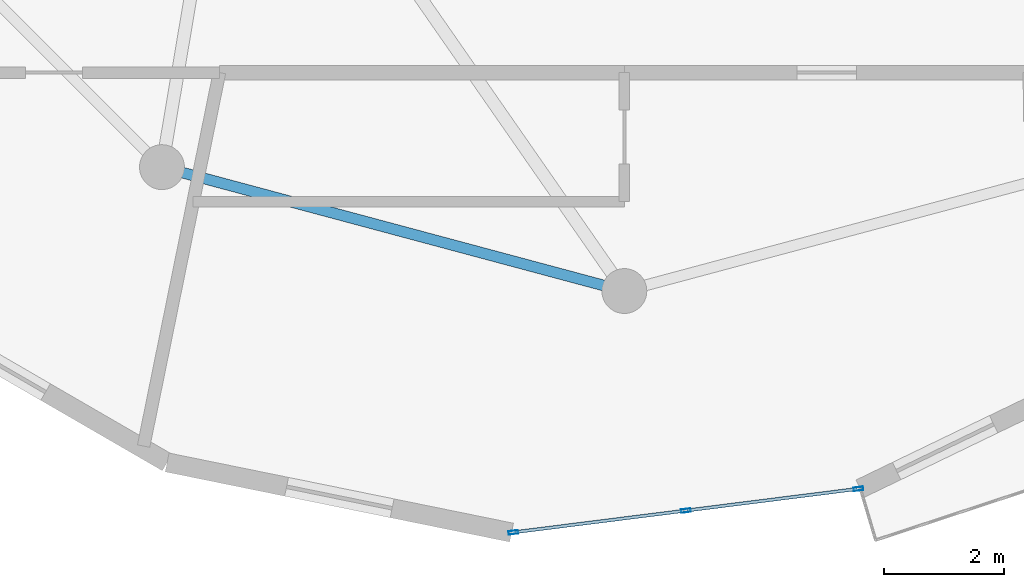
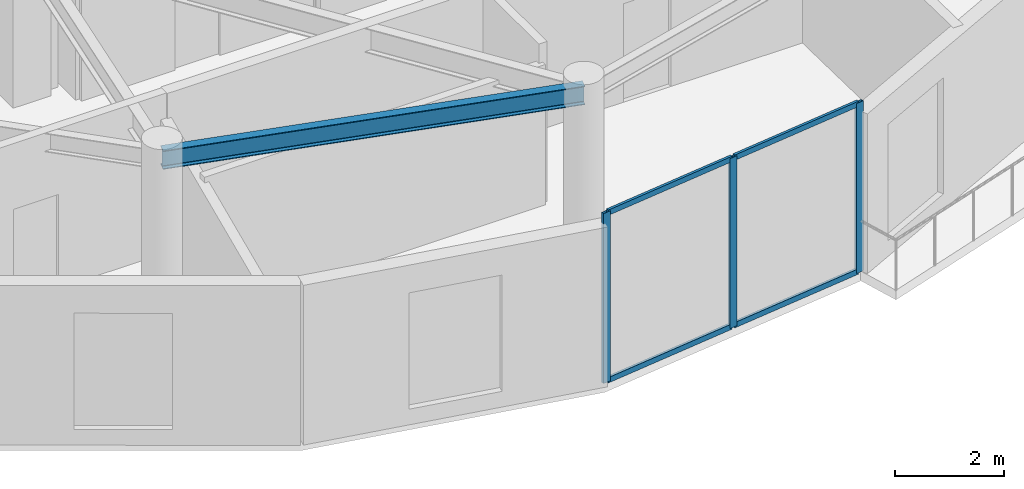
# One storey, part 4 of 23: 7 members, 1 beam, 1 element without a shape of its own.
"""IFC4 building model written with IfcOpenShell, lengths in metres."""

from ifc_helpers import new_model, si_unit, direction, frame, origin, origin_2d, place, context, subcontext, project, spatial, hollow_rectangle, i_section, extrude, source, transform, mapped, material, layer, layer_set, material_profile, profile_set, type_object, element, aggregate, save


model = new_model("IFC4")

# Units and contexts
model_context = context("Model", 3, precision=1e-05, world=origin(), true_north=direction((0.0, 1.0)))
body_context = subcontext(model_context, "Body", "Model", "MODEL_VIEW")
ifc_project = project(units=[si_unit("LENGTHUNIT", "METRE"), si_unit("AREAUNIT", "SQUARE_METRE"), si_unit("VOLUMEUNIT", "CUBIC_METRE"), si_unit("PLANEANGLEUNIT", "RADIAN"), si_unit("MASSUNIT", "GRAM", prefix="KILO")], contexts=[model_context])

# Site, building, storey
site_placement = place(None, origin())
site = spatial("IfcSite", under=ifc_project, at=site_placement, CompositionType="ELEMENT")
building_placement = place(site_placement, origin())
building = spatial("IfcBuilding", under=site, at=building_placement, Name="Solvirekh Grand Hotel", CompositionType="ELEMENT")
storey_placement = place(building_placement, frame((0.0, 0.0, 285.800048828125)))
storey = spatial("IfcBuildingStorey", under=building, at=storey_placement, Name="L74", CompositionType="ELEMENT", Elevation=285.800048828125)

# Beam
ifc_material_1 = material(Name="Steel S355", Category="steel")
ifc_material_profile_1 = material_profile(ifc_material_1, i_section(OverallWidth=0.180908203125, OverallDepth=0.4169921875, WebThickness=0.010009765625, FlangeThickness=0.01611328125, FilletRadius=0.011962890625, at=origin_2d()), Name="W410X85")
ifc_profile_set_1 = profile_set([ifc_material_profile_1], Name="Steel S355")
beam_type = type_object("IfcBeamType", Name="Spandrel_Ring_W410", PredefinedType="SPANDREL", material=ifc_profile_set_1)
beam_placement = place(storey_placement, frame((-7.72509765625, -13.3798828125, 3.36083984375), z_axis=(0.965921616143, -0.258834757072, 0.0), x_axis=(0.258834757072, 0.965921616143, 0.0)))
element("IfcBeam", 1, at=beam_placement, inside=storey, type_object=beam_type, Name="L74 perimeter spandrel beam 9", PredefinedType="SPANDREL", context=body_context, shape_type="SweptSolid", body=[
    extrude(i_section(OverallWidth=0.180908203125, OverallDepth=0.4169921875, WebThickness=0.010009765625, FlangeThickness=0.01611328125, FilletRadius=0.011962890625, at=origin_2d()), origin(), (0.0, 0.0, 1.0), 7.99755859375),
])

# Curtain wall, members
ifc_material_2 = material(Name="Anodized Bronze Aluminium 6063-T6", Category="aluminium")
ifc_layer = layer(ifc_material_2, 0.159912109375)
ifc_layer_set = layer_set([ifc_layer], Name="Anodized Bronze Aluminium 6063-T6")
curtain_wall_type = type_object("IfcCurtainWallType", Name="CW_Sys4_HighZoneFlushBronzeCW", PredefinedType="NOTDEFINED", material=ifc_layer_set)
curtain_wall_placement = place(storey_placement, origin())
curtain_wall = element("IfcCurtainWall", 2, at=curtain_wall_placement, inside=storey, type_object=curtain_wall_type, Name="L74 unitised bronze-glass curtain wall CW-L74-C01", PredefinedType="NOTDEFINED")
ifc_material_profile_2 = material_profile(ifc_material_2, hollow_rectangle(XDim=0.06005859375, YDim=0.159912109375, WallThickness=0.0048828125, at=origin_2d()), Name="ALU RHS 160X60X5")
ifc_profile_set_2 = profile_set([ifc_material_profile_2], Name="Anodized Bronze Aluminium 6063-T6")
member_type_1 = type_object("IfcMemberType", Name="CWMullion_Sys4", PredefinedType="MULLION", material=ifc_profile_set_2)
shared_shape_1 = source(origin(), body_context, "Body", "SweptSolid", [
    extrude(hollow_rectangle(XDim=0.06005859375, YDim=0.159912109375, WallThickness=0.0048828125, at=origin_2d()), origin(), (0.0, 0.0, 1.0), 3.800048828125),
])
member_1_placement = place(storey_placement, frame((-1.855224609375, -19.482177734375, 0.0), z_axis=(0.0, 0.0, 1.0), x_axis=(-0.125166457357, 0.992135755808, 0.0)))
member_1 = element("IfcMember", 3, at=member_1_placement, type_object=member_type_1, Name="U04 mullion 1", PredefinedType="MULLION", context=body_context, shape_type="MappedRepresentation", body=[
    mapped(shared_shape_1, transform((0.0, 0.0, 0.0), x_axis=(1.0, 0.0, 0.0), y_axis=(0.0, 1.0, 0.0), z_axis=(0.0, 0.0, 1.0), scale=1.0)),
])
member_2_placement = place(storey_placement, frame((1.028076171875, -19.118408203125, 0.0), z_axis=(0.0, 0.0, 1.0), x_axis=(-0.125166457357, 0.992135755808, 0.0)))
member_2 = element("IfcMember", 4, at=member_2_placement, type_object=member_type_1, Name="U04 mullion 2", PredefinedType="MULLION", context=body_context, shape_type="MappedRepresentation", body=[
    mapped(shared_shape_1, transform((0.0, 0.0, 0.0), x_axis=(1.0, 0.0, 0.0), y_axis=(0.0, 1.0, 0.0), z_axis=(0.0, 0.0, 1.0), scale=1.0)),
])
member_3_placement = place(storey_placement, frame((3.9111328125, -18.754638671875, 0.0), z_axis=(0.0, 0.0, 1.0), x_axis=(-0.125166457357, 0.992135755808, 0.0)))
member_3 = element("IfcMember", 5, at=member_3_placement, type_object=member_type_1, Name="U04 mullion 3", PredefinedType="MULLION", context=body_context, shape_type="MappedRepresentation", body=[
    mapped(shared_shape_1, transform((0.0, 0.0, 0.0), x_axis=(1.0, 0.0, 0.0), y_axis=(0.0, 1.0, 0.0), z_axis=(0.0, 0.0, 1.0), scale=1.0)),
])
ifc_material_profile_3 = material_profile(ifc_material_2, hollow_rectangle(XDim=0.054931640625, YDim=0.1201171875, WallThickness=0.00390625, at=origin_2d()), Name="ALU RHS 120X55X4")
ifc_profile_set_3 = profile_set([ifc_material_profile_3], Name="Anodized Bronze Aluminium 6063-T6")
member_type_2 = type_object("IfcMemberType", Name="CWTransom_Sys4", PredefinedType="USERDEFINED", material=ifc_profile_set_3)
shared_shape_2 = source(origin(), body_context, "Body", "SweptSolid", [
    extrude(hollow_rectangle(XDim=0.054931640625, YDim=0.1201171875, WallThickness=0.00390625, at=origin_2d()), origin(), (0.0, 0.0, 1.0), 2.84619140625),
])
member_4_placement = place(storey_placement, frame((-1.825439453125, -19.478515625, 0.02734375), z_axis=(0.992137357428, 0.125153761412, 0.0), x_axis=(-0.125153761412, 0.992137357428, 0.0)))
member_4 = element("IfcMember", 6, at=member_4_placement, type_object=member_type_2, Name="U04 transom 1.1", ObjectType="TRANSOM", PredefinedType="USERDEFINED", context=body_context, shape_type="MappedRepresentation", body=[
    mapped(shared_shape_2, transform((0.0, 0.0, 0.0), x_axis=(1.0, 0.0, 0.0), y_axis=(0.0, 1.0, 0.0), z_axis=(0.0, 0.0, 1.0), scale=1.0)),
])
member_5_placement = place(storey_placement, frame((-1.825439453125, -19.478515625, 3.7724609375), z_axis=(0.992137357428, 0.125153761412, 0.0), x_axis=(-0.125153761412, 0.992137357428, 0.0)))
member_5 = element("IfcMember", 7, at=member_5_placement, type_object=member_type_2, Name="U04 transom 1.2", ObjectType="TRANSOM", PredefinedType="USERDEFINED", context=body_context, shape_type="MappedRepresentation", body=[
    mapped(shared_shape_2, transform((0.0, 0.0, 0.0), x_axis=(1.0, 0.0, 0.0), y_axis=(0.0, 1.0, 0.0), z_axis=(0.0, 0.0, 1.0), scale=1.0)),
])
member_6_placement = place(storey_placement, frame((1.057861328125, -19.11474609375, 0.02734375), z_axis=(0.992137357428, 0.125153761412, 0.0), x_axis=(-0.125153761412, 0.992137357428, 0.0)))
member_6 = element("IfcMember", 8, at=member_6_placement, type_object=member_type_2, Name="U04 transom 2.1", ObjectType="TRANSOM", PredefinedType="USERDEFINED", context=body_context, shape_type="MappedRepresentation", body=[
    mapped(shared_shape_2, transform((0.0, 0.0, 0.0), x_axis=(1.0, 0.0, 0.0), y_axis=(0.0, 1.0, 0.0), z_axis=(0.0, 0.0, 1.0), scale=1.0)),
])
member_7_placement = place(storey_placement, frame((1.057861328125, -19.11474609375, 3.7724609375), z_axis=(0.992137357428, 0.125153761412, 0.0), x_axis=(-0.125153761412, 0.992137357428, 0.0)))
member_7 = element("IfcMember", 9, at=member_7_placement, type_object=member_type_2, Name="U04 transom 2.2", ObjectType="TRANSOM", PredefinedType="USERDEFINED", context=body_context, shape_type="MappedRepresentation", body=[
    mapped(shared_shape_2, transform((0.0, 0.0, 0.0), x_axis=(1.0, 0.0, 0.0), y_axis=(0.0, 1.0, 0.0), z_axis=(0.0, 0.0, 1.0), scale=1.0)),
])
aggregate(curtain_wall, [member_1, member_2, member_3, member_4, member_5, member_6, member_7])

save(model, "model.ifc")
